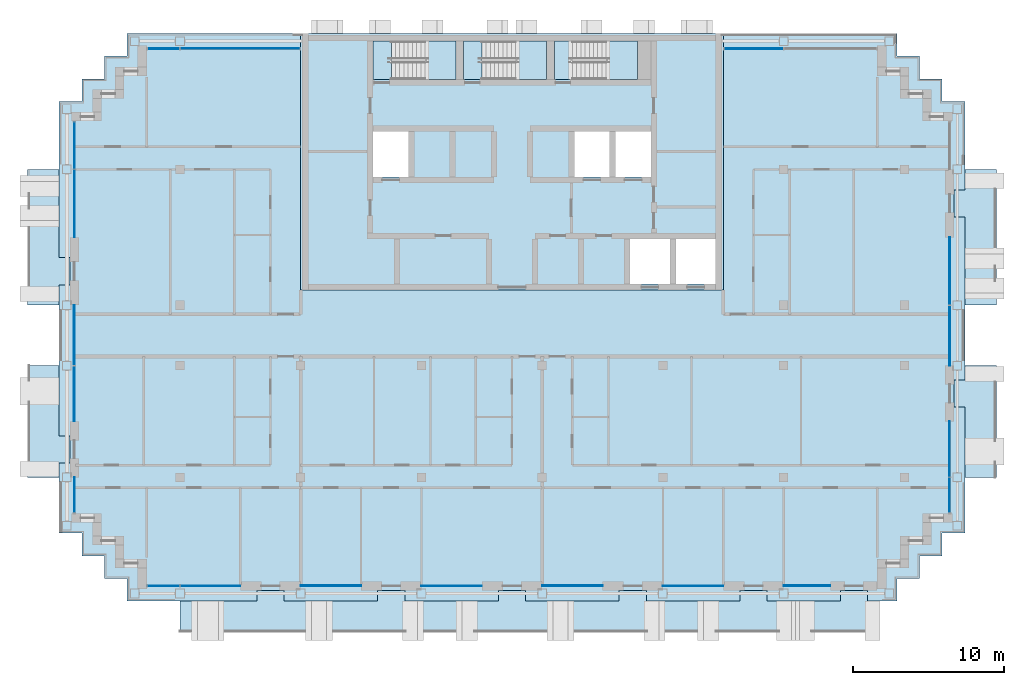
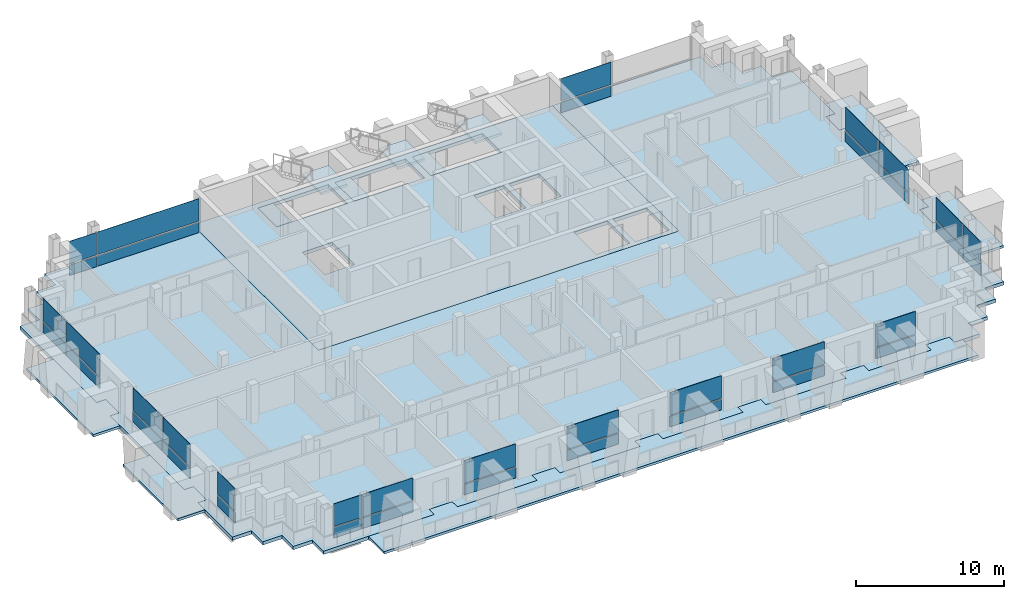
# One storey, part 6 of 15: 38 plates, 13 slabs, 16 elements without a shape of their own.
"""IFC4 building model written with IfcOpenShell, lengths in metres."""

import ifcopenshell
import ifcopenshell.guid

model = None  # the IFC model being written
_history = None  # IfcOwnerHistory: only IFC2X3 demands one
_inside = {}  # id of a spatial element -> (the spatial element, [elements in it])
_under = {}  # id of a project, library or spatial element -> (it, [spatial elements below it])
_declared = {}  # id of a project -> (the project, [libraries it declares])
_typed = {}  # id of a type object -> (the type object, [elements of that type])
_made_of = {}  # id of a material, layer set ... -> (it, [elements and type objects made of it])


def new_model(schema):
    """Start an empty IFC model of exactly this schema.

    Asked for "IFC4X3", IfcOpenShell would pick the latest addendum, in which some entities
    have other attributes; the version numbers below select the first issue.
    IFC2X3 requires an IfcOwnerHistory on every rooted entity: one is made here for all.
    """
    global model, _history
    if schema == "IFC4X3":
        model = ifcopenshell.file(schema_version=(4, 3, 0, 0))
    else:
        model = ifcopenshell.file(schema=schema)
    _inside.clear()
    _under.clear()
    _declared.clear()
    _typed.clear()
    _made_of.clear()
    _history = None
    if model.schema == "IFC2X3":
        org = make("IfcOrganization", Name="unknown")
        user = make(
            "IfcPersonAndOrganization",
            ThePerson=make("IfcPerson", FamilyName="unknown"),
            TheOrganization=org,
        )
        app = make(
            "IfcApplication",
            ApplicationDeveloper=org,
            Version="unknown",
            ApplicationFullName="unknown",
            ApplicationIdentifier="unknown",
        )
        _history = make(
            "IfcOwnerHistory",
            OwningUser=user,
            OwningApplication=app,
            ChangeAction="ADDED",
            CreationDate=0,
        )
    return model


def make(cls, **values):
    """One entity of the class cls with the attributes given. An attribute that is None is left unset."""
    return model.create_entity(
        cls, **{name: value for name, value in values.items() if value is not None}
    )


def rooted(cls, **values):
    """An entity with a GlobalId (a new one), such as an element, a storey or a relation."""
    return make(cls, GlobalId=ifcopenshell.guid.new(), OwnerHistory=_history, **values)


def si_unit(unit_type, name, prefix=None):
    """IfcSIUnit, for example si_unit("LENGTHUNIT", "METRE", prefix="MILLI")."""
    return make("IfcSIUnit", UnitType=unit_type, Prefix=prefix, Name=name)


def assignment(units):
    """IfcUnitAssignment: the units of a project."""
    return None if units is None else make("IfcUnitAssignment", Units=units)


def point(xyz):
    """IfcCartesianPoint."""
    return None if xyz is None else make("IfcCartesianPoint", Coordinates=xyz)


def direction(xyz):
    """IfcDirection."""
    return None if xyz is None else make("IfcDirection", DirectionRatios=xyz)


def frame(location, z_axis=None, x_axis=None):
    """IfcAxis2Placement3D, a coordinate frame: its origin and axes. An axis left out is left unset."""
    return make(
        "IfcAxis2Placement3D",
        Location=point(location),
        Axis=direction(z_axis),
        RefDirection=direction(x_axis),
    )


def frame_2d(location, x_axis=None):
    """IfcAxis2Placement2D, a coordinate frame in the plane: its origin and x axis."""
    return make(
        "IfcAxis2Placement2D", Location=point(location), RefDirection=direction(x_axis)
    )


def origin():
    """The frame at (0, 0, 0) with its axes left unset."""
    return frame((0.0, 0.0, 0.0))


def origin_2d():
    """The frame at (0, 0) in the plane with its x axis left unset."""
    return frame_2d((0.0, 0.0))


def place(relative_to, where):
    """IfcLocalPlacement: puts the frame where relative to a parent placement (None: the world)."""
    return make(
        "IfcLocalPlacement", PlacementRelTo=relative_to, RelativePlacement=where
    )


def context(
    kind, dimensions, precision=None, world=None, true_north=None, identifier=None
):
    """IfcGeometricRepresentationContext, for example the 3D "Model" context."""
    return make(
        "IfcGeometricRepresentationContext",
        ContextIdentifier=identifier,
        ContextType=kind,
        CoordinateSpaceDimension=dimensions,
        Precision=precision,
        WorldCoordinateSystem=world,
        TrueNorth=true_north,
    )


def subcontext(parent, identifier, kind, view, scale=None):
    """IfcGeometricRepresentationSubContext, for example "Body" below "Model"."""
    return make(
        "IfcGeometricRepresentationSubContext",
        ContextIdentifier=identifier,
        ContextType=kind,
        ParentContext=parent,
        TargetScale=scale,
        TargetView=view,
    )


def project(units=None, contexts=None):
    """IfcProject with its units and contexts."""
    return rooted(
        "IfcProject",
        Name="project",
        RepresentationContexts=contexts,
        UnitsInContext=assignment(units),
    )


def spatial(cls, under=None, at=None, **own):
    """A site, building, storey or space (cls), placed at a placement, below another one or the project."""
    s = rooted(cls, ObjectPlacement=at, **own)
    if under is not None:
        _under.setdefault(under.id(), (under, []))[1].append(s)
    return s


def polyline(points):
    """IfcPolyline through the points."""
    return make("IfcPolyline", Points=[point(p) for p in points])


def profile(cls, at=None, kind="AREA", **sizes):
    """A parametric profile (cls). Its sizes go by their IFC names, for example OverallWidth=200.0."""
    return make(cls, ProfileType=kind, Position=at, **sizes)


def rectangle(**sizes):
    """IfcRectangleProfileDef."""
    return profile("IfcRectangleProfileDef", **sizes)


def outline(outer, holes=None, kind="AREA"):
    """IfcArbitraryClosedProfileDef: a profile drawn as a closed curve; with holes, ...WithVoids."""
    if holes is None:
        return make("IfcArbitraryClosedProfileDef", ProfileType=kind, OuterCurve=outer)
    return make(
        "IfcArbitraryProfileDefWithVoids",
        ProfileType=kind,
        OuterCurve=outer,
        InnerCurves=holes,
    )


def extrude(swept, where, along, depth):
    """IfcExtrudedAreaSolid: the profile swept, set in the frame where, extruded along a direction by depth."""
    return make(
        "IfcExtrudedAreaSolid",
        SweptArea=swept,
        Position=where,
        ExtrudedDirection=direction(along),
        Depth=depth,
    )


def shape(context_of_items, identifier, shape_type, items):
    """IfcShapeRepresentation: the items that make up one representation, for example the "Body"."""
    return make(
        "IfcShapeRepresentation",
        ContextOfItems=context_of_items,
        RepresentationIdentifier=identifier,
        RepresentationType=shape_type,
        Items=items,
    )


def material(Name=None, Category=None):
    """IfcMaterial."""
    return make("IfcMaterial", Name=Name, Category=Category)


def layer(
    of_material, thickness, ventilated=None, Name=None, Category=None, Priority=None
):
    """IfcMaterialLayer: one layer of a wall or slab, of a material (None: an air gap)."""
    return make(
        "IfcMaterialLayer",
        Material=of_material,
        LayerThickness=thickness,
        IsVentilated=ventilated,
        Name=Name,
        Category=Category,
        Priority=Priority,
    )


def layer_set(layers, Name=None):
    """IfcMaterialLayerSet."""
    return make("IfcMaterialLayerSet", MaterialLayers=layers, LayerSetName=Name)


def made_of(thing, what):
    """Note that an element or type object is made of a material, layer set ...; save() writes the relation."""
    if what is not None:
        _made_of.setdefault(what.id(), (what, []))[1].append(thing)
    return thing


def type_object(cls, material=None, **own):
    """A type object (cls), such as IfcWallType, which elements share."""
    return made_of(rooted(cls, **own), material)


def element(
    cls,
    number,
    at=None,
    inside=None,
    cuts=None,
    type_object=None,
    material=None,
    context=None,
    identifier="Body",
    shape_type=None,
    held_by="IfcProductDefinitionShape",
    body=None,
    shapes=None,
    **own,
):
    """One element of the class cls, such as IfcWall. Its Tag is "e" and its number.

    at: its placement. inside: the storey or other place that contains it. cuts: it is an
    opening in that element (IfcRelVoidsElement). A single representation is given by context,
    identifier, shape_type and body (its items); several are given by shapes. held_by: the class
    of the entity that holds the representations. save() writes the other relations.
    """
    e = rooted(cls, Tag="e%d" % number, ObjectPlacement=at, **own)
    if body is not None:
        shapes = [shape(context, identifier, shape_type, body)]
    if shapes is not None:
        e.Representation = make(held_by, Representations=shapes)
    if inside is not None:
        _inside.setdefault(inside.id(), (inside, []))[1].append(e)
    if cuts is not None:
        rooted(
            "IfcRelVoidsElement", RelatingBuildingElement=cuts, RelatedOpeningElement=e
        )
    if type_object is not None:
        _typed.setdefault(type_object.id(), (type_object, []))[1].append(e)
    return made_of(e, material)


def aggregate(whole, parts):
    """IfcRelAggregates: a whole, such as a stair, and the parts it consists of."""
    return rooted("IfcRelAggregates", RelatingObject=whole, RelatedObjects=parts)


def save(model, path):
    """Write the relations noted so far, then the file.

    IfcRelAggregates (storeys below a building ...), IfcRelContainedInSpatialStructure (elements
    in a storey), IfcRelDefinesByType, IfcRelAssociatesMaterial and IfcRelDeclares: one each for
    every whole, place, type object, material and project.
    """
    for whole, parts in _under.values():
        aggregate(whole, parts)
    for where, things in _inside.values():
        rooted(
            "IfcRelContainedInSpatialStructure",
            RelatedElements=things,
            RelatingStructure=where,
        )
    for kind, things in _typed.values():
        rooted("IfcRelDefinesByType", RelatedObjects=things, RelatingType=kind)
    for what, things in _made_of.values():
        rooted("IfcRelAssociatesMaterial", RelatedObjects=things, RelatingMaterial=what)
    for by, libraries in _declared.values():
        rooted("IfcRelDeclares", RelatingContext=by, RelatedDefinitions=libraries)
    model.write(path)


model = new_model("IFC4")

# Units and contexts
model_context = context("Model", 3, precision=1e-05, world=origin(), true_north=direction((0.0, 1.0)))
body_context = subcontext(model_context, "Body", "Model", "MODEL_VIEW")
ifc_project = project(units=[si_unit("LENGTHUNIT", "METRE"), si_unit("AREAUNIT", "SQUARE_METRE"), si_unit("VOLUMEUNIT", "CUBIC_METRE"), si_unit("PLANEANGLEUNIT", "RADIAN"), si_unit("MASSUNIT", "GRAM", prefix="KILO")], contexts=[model_context])

# Site, building, storey
site_placement = place(None, origin())
site = spatial("IfcSite", under=ifc_project, at=site_placement, CompositionType="ELEMENT")
building_placement = place(site_placement, origin())
building = spatial("IfcBuilding", under=site, at=building_placement, Name="Vidyagriha Tower", CompositionType="ELEMENT")
storey_placement = place(building_placement, frame((0.0, 0.0, 236.39990234375)))
storey = spatial("IfcBuildingStorey", under=building, at=storey_placement, Name="L62", CompositionType="ELEMENT", Elevation=236.39990234375)

# Curtain wall, plate
ifc_material_1 = material(Name="Aluminium and glass curtain wall", Category="aluminium")
curtain_wall_type = type_object("IfcCurtainWallType", Name="Dwelling skin unitised curtain wall", PredefinedType="USERDEFINED", material=ifc_material_1)
curtain_wall_1_placement = place(storey_placement, origin())
curtain_wall_1 = element("IfcCurtainWall", 1, at=curtain_wall_1_placement, inside=storey, type_object=curtain_wall_type, Name="CW1 dwelling skin", ObjectType="UNITISED", PredefinedType="USERDEFINED")
ifc_material_2 = material(Name="Glass dark ceramic-fritted spandrel", Category="glass")
ifc_layer_1 = layer(ifc_material_2, 0.0400390625)
ifc_layer_set_1 = layer_set([ifc_layer_1], Name="Glass dark ceramic-fritted spandrel")
plate_type_1 = type_object("IfcPlateType", Name="Ceramic-fritted spandrel panel", PredefinedType="CURTAIN_PANEL", material=ifc_layer_set_1)
plate_1_placement = place(storey_placement, frame((-18.017578125, 19.0, 0.0), z_axis=(0.0, 0.0, 1.0), x_axis=(-1.0, 0.0, 0.0)))
plate_1 = element("IfcPlate", 2, at=plate_1_placement, type_object=plate_type_1, Name="CW1 panel 1.1", PredefinedType="CURTAIN_PANEL", context=body_context, shape_type="SweptSolid", body=[
    extrude(rectangle(XDim=7.89501953125, YDim=0.0400390625, at=origin_2d()), origin(), (0.0, 0.0, 1.0), 0.85009765625),
])

# Curtain wall, plates
curtain_wall_2_placement = place(storey_placement, origin())
curtain_wall_2 = element("IfcCurtainWall", 3, at=curtain_wall_2_placement, inside=storey, type_object=curtain_wall_type, Name="CW1 dwelling skin", ObjectType="UNITISED", PredefinedType="USERDEFINED")
plate_2_placement = place(storey_placement, frame((-29.0, 12.58251953125, 0.0), z_axis=(0.0, 0.0, 1.0), x_axis=(0.0, -1.0, 0.0)))
plate_2 = element("IfcPlate", 4, at=plate_2_placement, type_object=plate_type_1, Name="CW1 panel 1.1", PredefinedType="CURTAIN_PANEL", context=body_context, shape_type="SweptSolid", body=[
    extrude(rectangle(XDim=3.094970703125, YDim=0.0400390625, at=origin_2d()), origin(), (0.0, 0.0, 1.0), 0.85009765625),
])
plate_3_placement = place(storey_placement, frame((-29.0, 8.732421875, 0.0), z_axis=(0.0, 0.0, 1.0), x_axis=(0.0, -1.0, 0.0)))
plate_3 = element("IfcPlate", 5, at=plate_3_placement, type_object=plate_type_1, Name="CW1 panel 2.1", PredefinedType="CURTAIN_PANEL", context=body_context, shape_type="SweptSolid", body=[
    extrude(rectangle(XDim=4.465087890625, YDim=0.0400390625, at=origin_2d()), origin(), (0.0, 0.0, 1.0), 0.85009765625),
])

# Curtain wall, plate
curtain_wall_3_placement = place(storey_placement, origin())
curtain_wall_3 = element("IfcCurtainWall", 6, at=curtain_wall_3_placement, inside=storey, type_object=curtain_wall_type, Name="CW1 dwelling skin", ObjectType="UNITISED", PredefinedType="USERDEFINED")
plate_4_placement = place(storey_placement, frame((-29.0, -10.56494140625, 0.0), z_axis=(0.0, 0.0, 1.0), x_axis=(0.0, -1.0, 0.0)))
plate_4 = element("IfcPlate", 7, at=plate_4_placement, type_object=plate_type_1, Name="CW1 panel 1.1", PredefinedType="CURTAIN_PANEL", context=body_context, shape_type="SweptSolid", body=[
    extrude(rectangle(XDim=2.330078125, YDim=0.0400390625, at=origin_2d()), origin(), (0.0, 0.0, 1.0), 0.85009765625),
])

# Curtain wall, plates
curtain_wall_4_placement = place(storey_placement, origin())
curtain_wall_4 = element("IfcCurtainWall", 8, at=curtain_wall_4_placement, inside=storey, type_object=curtain_wall_type, Name="CW1 dwelling skin", ObjectType="UNITISED", PredefinedType="USERDEFINED")
plate_5_placement = place(storey_placement, frame((-23.08251953125, -16.60009765625, 0.0)))
plate_5 = element("IfcPlate", 9, at=plate_5_placement, type_object=plate_type_1, Name="CW1 panel 1.1", PredefinedType="CURTAIN_PANEL", context=body_context, shape_type="SweptSolid", body=[
    extrude(rectangle(XDim=2.094970703125, YDim=0.0400390625, at=origin_2d()), origin(), (0.0, 0.0, 1.0), 0.85009765625),
])
plate_6_placement = place(storey_placement, frame((-19.982421875, -16.60009765625, 0.0)))
plate_6 = element("IfcPlate", 10, at=plate_6_placement, type_object=plate_type_1, Name="CW1 panel 2.1", PredefinedType="CURTAIN_PANEL", context=body_context, shape_type="SweptSolid", body=[
    extrude(rectangle(XDim=3.965087890625, YDim=0.0400390625, at=origin_2d()), origin(), (0.0, 0.0, 1.0), 0.85009765625),
])

# Curtain wall, plate
curtain_wall_5_placement = place(storey_placement, origin())
curtain_wall_5 = element("IfcCurtainWall", 11, at=curtain_wall_5_placement, inside=storey, type_object=curtain_wall_type, Name="CW1 dwelling skin", ObjectType="UNITISED", PredefinedType="USERDEFINED")
plate_7_placement = place(storey_placement, frame((-4.0, -16.60009765625, 0.0)))
plate_7 = element("IfcPlate", 12, at=plate_7_placement, type_object=plate_type_1, Name="CW1 panel 1.1", PredefinedType="CURTAIN_PANEL", context=body_context, shape_type="SweptSolid", body=[
    extrude(rectangle(XDim=4.0, YDim=0.0400390625, at=origin_2d()), origin(), (0.0, 0.0, 1.0), 0.85009765625),
])

curtain_wall_6_placement = place(storey_placement, origin())
curtain_wall_6 = element("IfcCurtainWall", 13, at=curtain_wall_6_placement, inside=storey, type_object=curtain_wall_type, Name="CW1 dwelling skin", ObjectType="UNITISED", PredefinedType="USERDEFINED")
plate_8_placement = place(storey_placement, frame((12.0, -16.60009765625, 0.0)))
plate_8 = element("IfcPlate", 14, at=plate_8_placement, type_object=plate_type_1, Name="CW1 panel 1.1", PredefinedType="CURTAIN_PANEL", context=body_context, shape_type="SweptSolid", body=[
    extrude(rectangle(XDim=4.0, YDim=0.0400390625, at=origin_2d()), origin(), (0.0, 0.0, 1.0), 0.85009765625),
])

# Curtain wall, plates
curtain_wall_7_placement = place(storey_placement, origin())
curtain_wall_7 = element("IfcCurtainWall", 15, at=curtain_wall_7_placement, inside=storey, type_object=curtain_wall_type, Name="CW1 dwelling skin", ObjectType="UNITISED", PredefinedType="USERDEFINED")
plate_9_placement = place(storey_placement, frame((29.0, -10.58251953125, 0.0), z_axis=(0.0, 0.0, 1.0), x_axis=(0.0, 1.0, 0.0)))
plate_9 = element("IfcPlate", 16, at=plate_9_placement, type_object=plate_type_1, Name="CW1 panel 1.1", PredefinedType="CURTAIN_PANEL", context=body_context, shape_type="SweptSolid", body=[
    extrude(rectangle(XDim=2.294921875, YDim=0.0400390625, at=origin_2d()), origin(), (0.0, 0.0, 1.0), 0.85009765625),
])
plate_10_placement = place(storey_placement, frame((29.0, -7.532470703125, 0.0), z_axis=(0.0, 0.0, 1.0), x_axis=(0.0, 1.0, 0.0)))
plate_10 = element("IfcPlate", 17, at=plate_10_placement, type_object=plate_type_1, Name="CW1 panel 2.1", PredefinedType="CURTAIN_PANEL", context=body_context, shape_type="SweptSolid", body=[
    extrude(rectangle(XDim=3.6650390625, YDim=0.0400390625, at=origin_2d()), origin(), (0.0, 0.0, 1.0), 0.85009765625),
])

# Slab
ifc_material_3 = material(Name="Concrete C60/75", Category="concrete")
ifc_layer_2 = layer(ifc_material_3, 0.280029296875)
ifc_layer_set_2 = layer_set([ifc_layer_2], Name="Concrete C60/75")
slab_type_1 = type_object("IfcSlabType", Name="Core floor slab 280 mm", PredefinedType="FLOOR", material=ifc_layer_set_2)
slab_1_placement = place(storey_placement, frame((0.0, 0.0, -0.27978515625)))
element("IfcSlab", 18, at=slab_1_placement, inside=storey, type_object=slab_type_1, Name="L62 core floor 1", PredefinedType="FLOOR", context=body_context, shape_type="SweptSolid", body=[
    extrude(outline(polyline([(-14.0, 3.0), (-14.0, 20.0), (14.0, 20.0), (14.0, 3.0), (-14.0, 3.0)]), holes=[polyline([(13.5, 6.39990234375), (10.855712890625, 6.39990234375), (10.855712890625, 3.39990234375), (13.5, 3.39990234375), (13.5, 6.39990234375)]), polyline([(10.45556640625, 6.39990234375), (7.81103515625, 6.39990234375), (7.81103515625, 3.39990234375), (10.45556640625, 3.39990234375), (10.45556640625, 6.39990234375)]), polyline([(9.199951171875, 13.5), (6.86669921875, 13.5), (6.86669921875, 10.5), (9.199951171875, 10.5), (9.199951171875, 13.5)]), polyline([(2.800048828125, 19.5), (2.800048828125, 16.949951171875), (4.0, 16.949951171875), (8.300048828125, 16.949951171875), (8.300048828125, 19.5), (4.0, 19.5), (2.800048828125, 19.5)]), polyline([(4.13330078125, 13.5), (4.13330078125, 10.5), (6.466796875, 10.5), (6.466796875, 13.5), (4.13330078125, 13.5)]), polyline([(-2.0, 19.5), (-3.199951171875, 19.5), (-3.199951171875, 16.949951171875), (-2.0, 16.949951171875), (2.300048828125, 16.949951171875), (2.300048828125, 19.5), (-2.0, 19.5)]), polyline([(-9.199951171875, 19.5), (-9.199951171875, 16.949951171875), (-8.0, 16.949951171875), (-3.699951171875, 16.949951171875), (-3.699951171875, 19.5), (-8.0, 19.5), (-9.199951171875, 19.5)]), polyline([(-9.199951171875, 13.5), (-9.199951171875, 10.5), (-6.86669921875, 10.5), (-6.86669921875, 13.5), (-9.199951171875, 13.5)])]), origin(), (0.0, 0.0, 1.0), 0.27978515625),
])

# Curtain wall, plate
curtain_wall_8_placement = place(storey_placement, origin())
curtain_wall_8 = element("IfcCurtainWall", 19, at=curtain_wall_8_placement, inside=storey, type_object=curtain_wall_type, Name="CW1 dwelling skin", ObjectType="UNITISED", PredefinedType="USERDEFINED")
ifc_material_4 = material(Name="Glass dark ceramic-fritted", Category="glass")
ifc_layer_3 = layer(ifc_material_4, 0.028076171875)
ifc_layer_set_3 = layer_set([ifc_layer_3], Name="Glass dark ceramic-fritted")
plate_type_2 = type_object("IfcPlateType", Name="Dark ceramic-fritted vision glass panel", PredefinedType="CURTAIN_PANEL", material=ifc_layer_set_3)
plate_11_placement = place(storey_placement, frame((16.017578125, 19.0, 0.949951171875), z_axis=(0.0, 0.0, 1.0), x_axis=(-1.0, 0.0, 0.0)))
plate_11 = element("IfcPlate", 20, at=plate_11_placement, type_object=plate_type_2, Name="CW1 panel 2.2", PredefinedType="CURTAIN_PANEL", context=body_context, shape_type="SweptSolid", body=[
    extrude(rectangle(XDim=3.89501953125, YDim=0.028076171875, at=origin_2d()), origin(), (0.0, 0.0, 1.0), 1.85009765625),
])

# Plate
plate_12_placement = place(storey_placement, frame((-18.017578125, 19.0, 0.949951171875), z_axis=(0.0, 0.0, 1.0), x_axis=(-1.0, 0.0, 0.0)))
plate_12 = element("IfcPlate", 21, at=plate_12_placement, type_object=plate_type_2, Name="CW1 panel 1.2", PredefinedType="CURTAIN_PANEL", context=body_context, shape_type="SweptSolid", body=[
    extrude(rectangle(XDim=7.89501953125, YDim=0.028076171875, at=origin_2d()), origin(), (0.0, 0.0, 1.0), 1.85009765625),
])

plate_13_placement = place(storey_placement, frame((-23.08251953125, 19.0, 0.949951171875), z_axis=(0.0, 0.0, 1.0), x_axis=(-1.0, 0.0, 0.0)))
plate_13 = element("IfcPlate", 22, at=plate_13_placement, type_object=plate_type_2, Name="CW1 panel 2.2", PredefinedType="CURTAIN_PANEL", context=body_context, shape_type="SweptSolid", body=[
    extrude(rectangle(XDim=2.094970703125, YDim=0.028076171875, at=origin_2d()), origin(), (0.0, 0.0, 1.0), 1.85009765625),
])

plate_14_placement = place(storey_placement, frame((-29.0, 12.58251953125, 0.949951171875), z_axis=(0.0, 0.0, 1.0), x_axis=(0.0, -1.0, 0.0)))
plate_14 = element("IfcPlate", 23, at=plate_14_placement, type_object=plate_type_2, Name="CW1 panel 1.2", PredefinedType="CURTAIN_PANEL", context=body_context, shape_type="SweptSolid", body=[
    extrude(rectangle(XDim=3.094970703125, YDim=0.028076171875, at=origin_2d()), origin(), (0.0, 0.0, 1.0), 1.85009765625),
])

plate_15_placement = place(storey_placement, frame((-29.0, 8.732421875, 0.949951171875), z_axis=(0.0, 0.0, 1.0), x_axis=(0.0, -1.0, 0.0)))
plate_15 = element("IfcPlate", 24, at=plate_15_placement, type_object=plate_type_2, Name="CW1 panel 2.2", PredefinedType="CURTAIN_PANEL", context=body_context, shape_type="SweptSolid", body=[
    extrude(rectangle(XDim=4.465087890625, YDim=0.028076171875, at=origin_2d()), origin(), (0.0, 0.0, 1.0), 1.85009765625),
])

aggregate(curtain_wall_2, [plate_2, plate_14, plate_3, plate_15])

# Curtain wall, plates
curtain_wall_9_placement = place(storey_placement, origin())
curtain_wall_9 = element("IfcCurtainWall", 25, at=curtain_wall_9_placement, inside=storey, type_object=curtain_wall_type, Name="CW1 dwelling skin", ObjectType="UNITISED", PredefinedType="USERDEFINED")
plate_16_placement = place(storey_placement, frame((-29.0, 0.017578125, 0.949951171875), z_axis=(0.0, 0.0, 1.0), x_axis=(0.0, -1.0, 0.0)))
plate_16 = element("IfcPlate", 26, at=plate_16_placement, type_object=plate_type_2, Name="CW1 panel 1.2", PredefinedType="CURTAIN_PANEL", context=body_context, shape_type="SweptSolid", body=[
    extrude(rectangle(XDim=3.965087890625, YDim=0.028076171875, at=origin_2d()), origin(), (0.0, 0.0, 1.0), 1.85009765625),
])
plate_17_placement = place(storey_placement, frame((-29.0, -3.867431640625, 0.949951171875), z_axis=(0.0, 0.0, 1.0), x_axis=(0.0, -1.0, 0.0)))
plate_17 = element("IfcPlate", 27, at=plate_17_placement, type_object=plate_type_2, Name="CW1 panel 2.2", PredefinedType="CURTAIN_PANEL", context=body_context, shape_type="SweptSolid", body=[
    extrude(rectangle(XDim=3.6650390625, YDim=0.028076171875, at=origin_2d()), origin(), (0.0, 0.0, 1.0), 1.85009765625),
])

# Plate
plate_18_placement = place(storey_placement, frame((-29.0, -10.56494140625, 0.949951171875), z_axis=(0.0, 0.0, 1.0), x_axis=(0.0, -1.0, 0.0)))
plate_18 = element("IfcPlate", 28, at=plate_18_placement, type_object=plate_type_2, Name="CW1 panel 1.2", PredefinedType="CURTAIN_PANEL", context=body_context, shape_type="SweptSolid", body=[
    extrude(rectangle(XDim=2.330078125, YDim=0.028076171875, at=origin_2d()), origin(), (0.0, 0.0, 1.0), 1.85009765625),
])

aggregate(curtain_wall_3, [plate_4, plate_18])

plate_19_placement = place(storey_placement, frame((-23.08251953125, -16.60009765625, 0.949951171875)))
plate_19 = element("IfcPlate", 29, at=plate_19_placement, type_object=plate_type_2, Name="CW1 panel 1.2", PredefinedType="CURTAIN_PANEL", context=body_context, shape_type="SweptSolid", body=[
    extrude(rectangle(XDim=2.094970703125, YDim=0.028076171875, at=origin_2d()), origin(), (0.0, 0.0, 1.0), 1.85009765625),
])

plate_20_placement = place(storey_placement, frame((-19.982421875, -16.60009765625, 0.949951171875)))
plate_20 = element("IfcPlate", 30, at=plate_20_placement, type_object=plate_type_2, Name="CW1 panel 2.2", PredefinedType="CURTAIN_PANEL", context=body_context, shape_type="SweptSolid", body=[
    extrude(rectangle(XDim=3.965087890625, YDim=0.028076171875, at=origin_2d()), origin(), (0.0, 0.0, 1.0), 1.85009765625),
])

aggregate(curtain_wall_4, [plate_5, plate_19, plate_6, plate_20])

# Curtain wall, plate
curtain_wall_10_placement = place(storey_placement, origin())
curtain_wall_10 = element("IfcCurtainWall", 31, at=curtain_wall_10_placement, inside=storey, type_object=curtain_wall_type, Name="CW1 dwelling skin", ObjectType="UNITISED", PredefinedType="USERDEFINED")
plate_21_placement = place(storey_placement, frame((-12.0, -16.60009765625, 0.949951171875)))
plate_21 = element("IfcPlate", 32, at=plate_21_placement, type_object=plate_type_2, Name="CW1 panel 1.2", PredefinedType="CURTAIN_PANEL", context=body_context, shape_type="SweptSolid", body=[
    extrude(rectangle(XDim=4.0, YDim=0.028076171875, at=origin_2d()), origin(), (0.0, 0.0, 1.0), 1.85009765625),
])

# Plate
plate_22_placement = place(storey_placement, frame((-4.0, -16.60009765625, 0.949951171875)))
plate_22 = element("IfcPlate", 33, at=plate_22_placement, type_object=plate_type_2, Name="CW1 panel 1.2", PredefinedType="CURTAIN_PANEL", context=body_context, shape_type="SweptSolid", body=[
    extrude(rectangle(XDim=4.0, YDim=0.028076171875, at=origin_2d()), origin(), (0.0, 0.0, 1.0), 1.85009765625),
])

aggregate(curtain_wall_5, [plate_7, plate_22])

# Curtain wall, plate
curtain_wall_11_placement = place(storey_placement, origin())
curtain_wall_11 = element("IfcCurtainWall", 34, at=curtain_wall_11_placement, inside=storey, type_object=curtain_wall_type, Name="CW1 dwelling skin", ObjectType="UNITISED", PredefinedType="USERDEFINED")
plate_23_placement = place(storey_placement, frame((4.0, -16.60009765625, 0.949951171875)))
plate_23 = element("IfcPlate", 35, at=plate_23_placement, type_object=plate_type_2, Name="CW1 panel 1.2", PredefinedType="CURTAIN_PANEL", context=body_context, shape_type="SweptSolid", body=[
    extrude(rectangle(XDim=4.0, YDim=0.028076171875, at=origin_2d()), origin(), (0.0, 0.0, 1.0), 1.85009765625),
])

# Plate
plate_24_placement = place(storey_placement, frame((12.0, -16.60009765625, 0.949951171875)))
plate_24 = element("IfcPlate", 36, at=plate_24_placement, type_object=plate_type_2, Name="CW1 panel 1.2", PredefinedType="CURTAIN_PANEL", context=body_context, shape_type="SweptSolid", body=[
    extrude(rectangle(XDim=4.0, YDim=0.028076171875, at=origin_2d()), origin(), (0.0, 0.0, 1.0), 1.85009765625),
])

aggregate(curtain_wall_6, [plate_8, plate_24])

# Curtain wall, plate
curtain_wall_12_placement = place(storey_placement, origin())
curtain_wall_12 = element("IfcCurtainWall", 37, at=curtain_wall_12_placement, inside=storey, type_object=curtain_wall_type, Name="CW1 dwelling skin", ObjectType="UNITISED", PredefinedType="USERDEFINED")
plate_25_placement = place(storey_placement, frame((19.550048828125, -16.60009765625, 0.949951171875)))
plate_25 = element("IfcPlate", 38, at=plate_25_placement, type_object=plate_type_2, Name="CW1 panel 1.2", PredefinedType="CURTAIN_PANEL", context=body_context, shape_type="SweptSolid", body=[
    extrude(rectangle(XDim=3.10009765625, YDim=0.028076171875, at=origin_2d()), origin(), (0.0, 0.0, 1.0), 1.85009765625),
])

# Plate
plate_26_placement = place(storey_placement, frame((29.0, -10.58251953125, 0.949951171875), z_axis=(0.0, 0.0, 1.0), x_axis=(0.0, 1.0, 0.0)))
plate_26 = element("IfcPlate", 39, at=plate_26_placement, type_object=plate_type_2, Name="CW1 panel 1.2", PredefinedType="CURTAIN_PANEL", context=body_context, shape_type="SweptSolid", body=[
    extrude(rectangle(XDim=2.294921875, YDim=0.028076171875, at=origin_2d()), origin(), (0.0, 0.0, 1.0), 1.85009765625),
])

plate_27_placement = place(storey_placement, frame((29.0, -7.532470703125, 0.949951171875), z_axis=(0.0, 0.0, 1.0), x_axis=(0.0, 1.0, 0.0)))
plate_27 = element("IfcPlate", 40, at=plate_27_placement, type_object=plate_type_2, Name="CW1 panel 2.2", PredefinedType="CURTAIN_PANEL", context=body_context, shape_type="SweptSolid", body=[
    extrude(rectangle(XDim=3.6650390625, YDim=0.028076171875, at=origin_2d()), origin(), (0.0, 0.0, 1.0), 1.85009765625),
])

aggregate(curtain_wall_7, [plate_9, plate_26, plate_10, plate_27])

# Curtain wall, plates
curtain_wall_13_placement = place(storey_placement, origin())
curtain_wall_13 = element("IfcCurtainWall", 41, at=curtain_wall_13_placement, inside=storey, type_object=curtain_wall_type, Name="CW1 dwelling skin", ObjectType="UNITISED", PredefinedType="USERDEFINED")
plate_28_placement = place(storey_placement, frame((29.0, -0.017578125, 0.949951171875), z_axis=(0.0, 0.0, 1.0), x_axis=(0.0, 1.0, 0.0)))
plate_28 = element("IfcPlate", 42, at=plate_28_placement, type_object=plate_type_2, Name="CW1 panel 1.2", PredefinedType="CURTAIN_PANEL", context=body_context, shape_type="SweptSolid", body=[
    extrude(rectangle(XDim=3.965087890625, YDim=0.028076171875, at=origin_2d()), origin(), (0.0, 0.0, 1.0), 1.85009765625),
])
plate_29_placement = place(storey_placement, frame((29.0, 4.267578125, 0.949951171875), z_axis=(0.0, 0.0, 1.0), x_axis=(0.0, 1.0, 0.0)))
plate_29 = element("IfcPlate", 43, at=plate_29_placement, type_object=plate_type_2, Name="CW1 panel 2.2", PredefinedType="CURTAIN_PANEL", context=body_context, shape_type="SweptSolid", body=[
    extrude(rectangle(XDim=4.465087890625, YDim=0.028076171875, at=origin_2d()), origin(), (0.0, 0.0, 1.0), 1.85009765625),
])

# Slabs
ifc_material_5 = material(Name="Concrete C40/50", Category="concrete")
ifc_layer_4 = layer(ifc_material_5, 0.280029296875)
ifc_layer_set_4 = layer_set([ifc_layer_4], Name="Concrete C40/50")
slab_type_2 = type_object("IfcSlabType", Name="Exit stair floor landing 280 mm", PredefinedType="LANDING", material=ifc_layer_set_4)
slab_2_placement = place(storey_placement, frame((0.0, 0.0, -0.27978515625)))
element("IfcSlab", 44, at=slab_2_placement, inside=storey, type_object=slab_type_2, Name="ST1 floor landing L62", PredefinedType="LANDING", context=body_context, shape_type="SweptSolid", body=[
    extrude(outline(polyline([(-9.199951171875, 16.949951171875), (-8.0, 16.949951171875), (-8.0, 19.5), (-9.199951171875, 19.5), (-9.199951171875, 16.949951171875)])), origin(), (0.0, 0.0, 1.0), 0.27978515625),
])
slab_3_placement = place(storey_placement, frame((0.0, 0.0, -0.27978515625)))
element("IfcSlab", 45, at=slab_3_placement, inside=storey, type_object=slab_type_2, Name="ST2 floor landing L62", PredefinedType="LANDING", context=body_context, shape_type="SweptSolid", body=[
    extrude(outline(polyline([(-3.199951171875, 16.949951171875), (-2.0, 16.949951171875), (-2.0, 19.5), (-3.199951171875, 19.5), (-3.199951171875, 16.949951171875)])), origin(), (0.0, 0.0, 1.0), 0.27978515625),
])
slab_4_placement = place(storey_placement, frame((0.0, 0.0, -0.27978515625)))
element("IfcSlab", 46, at=slab_4_placement, inside=storey, type_object=slab_type_2, Name="ST3 floor landing L62", PredefinedType="LANDING", context=body_context, shape_type="SweptSolid", body=[
    extrude(outline(polyline([(2.800048828125, 16.949951171875), (4.0, 16.949951171875), (4.0, 19.5), (2.800048828125, 19.5), (2.800048828125, 16.949951171875)])), origin(), (0.0, 0.0, 1.0), 0.27978515625),
])

# Stair, slab
ifc_material_6 = material(Name="Concrete C40/50", Category="concrete")
stair_type = type_object("IfcStairType", Name="Exit stair, half-turn, precast flights", PredefinedType="HALF_TURN_STAIR", material=ifc_material_6)
stair_1_placement = place(storey_placement, origin())
stair_1 = element("IfcStair", 47, at=stair_1_placement, inside=storey, type_object=stair_type, Name="L62 Exit Stair ST1", PredefinedType="HALF_TURN_STAIR")
ifc_material_7 = material(Name="Concrete C40/50", Category="concrete")
ifc_layer_5 = layer(ifc_material_7, 0.199951171875)
ifc_layer_set_5 = layer_set([ifc_layer_5], Name="Concrete C40/50")
slab_type_3 = type_object("IfcSlabType", Name="Exit stair landing 200 mm", PredefinedType="LANDING", material=ifc_layer_set_5)
slab_5_placement = place(storey_placement, frame((0.0, 0.0, 1.400146484375)))
slab_5 = element("IfcSlab", 48, at=slab_5_placement, type_object=slab_type_3, Name="ST1 landing 1", PredefinedType="LANDING", context=body_context, shape_type="SweptSolid", body=[
    extrude(outline(polyline([(-5.760009765625, 16.949951171875), (-3.699951171875, 16.949951171875), (-3.699951171875, 19.5), (-5.760009765625, 19.5), (-5.760009765625, 16.949951171875)])), origin(), (0.0, 0.0, 1.0), 0.199951171875),
])
aggregate(stair_1, [slab_5])

stair_2_placement = place(storey_placement, origin())
stair_2 = element("IfcStair", 49, at=stair_2_placement, inside=storey, type_object=stair_type, Name="L62 Exit Stair ST2", PredefinedType="HALF_TURN_STAIR")
slab_6_placement = place(storey_placement, frame((0.0, 0.0, 1.400146484375)))
slab_6 = element("IfcSlab", 50, at=slab_6_placement, type_object=slab_type_3, Name="ST2 landing 1", PredefinedType="LANDING", context=body_context, shape_type="SweptSolid", body=[
    extrude(outline(polyline([(0.239990234375, 16.949951171875), (2.300048828125, 16.949951171875), (2.300048828125, 19.5), (0.239990234375, 19.5), (0.239990234375, 16.949951171875)])), origin(), (0.0, 0.0, 1.0), 0.199951171875),
])
aggregate(stair_2, [slab_6])

stair_3_placement = place(storey_placement, origin())
stair_3 = element("IfcStair", 51, at=stair_3_placement, inside=storey, type_object=stair_type, Name="L62 Exit Stair ST3", PredefinedType="HALF_TURN_STAIR")
slab_7_placement = place(storey_placement, frame((0.0, 0.0, 1.400146484375)))
slab_7 = element("IfcSlab", 52, at=slab_7_placement, type_object=slab_type_3, Name="ST3 landing 1", PredefinedType="LANDING", context=body_context, shape_type="SweptSolid", body=[
    extrude(outline(polyline([(6.239990234375, 16.949951171875), (8.300048828125, 16.949951171875), (8.300048828125, 19.5), (6.239990234375, 19.5), (6.239990234375, 16.949951171875)])), origin(), (0.0, 0.0, 1.0), 0.199951171875),
])
aggregate(stair_3, [slab_7])

# Plate
ifc_material_8 = material(Name="Aluminium black anodised", Category="aluminium")
ifc_layer_6 = layer(ifc_material_8, 0.06005859375)
ifc_layer_set_6 = layer_set([ifc_layer_6], Name="Aluminium black anodised")
plate_type_3 = type_object("IfcPlateType", Name="Operable black-metal vent panel", PredefinedType="CURTAIN_PANEL", material=ifc_layer_set_6)
plate_30_placement = place(storey_placement, frame((16.017578125, 19.0, 0.0), z_axis=(0.0, 0.0, 1.0), x_axis=(-1.0, 0.0, 0.0)))
plate_30 = element("IfcPlate", 53, at=plate_30_placement, type_object=plate_type_3, Name="CW1 panel 2.1", PredefinedType="CURTAIN_PANEL", context=body_context, shape_type="SweptSolid", body=[
    extrude(rectangle(XDim=3.89501953125, YDim=0.06005859375, at=origin_2d()), origin(), (0.0, 0.0, 1.0), 0.85009765625),
])

aggregate(curtain_wall_8, [plate_30, plate_11])

plate_31_placement = place(storey_placement, frame((-23.08251953125, 19.0, 0.0), z_axis=(0.0, 0.0, 1.0), x_axis=(-1.0, 0.0, 0.0)))
plate_31 = element("IfcPlate", 54, at=plate_31_placement, type_object=plate_type_3, Name="CW1 panel 2.1", PredefinedType="CURTAIN_PANEL", context=body_context, shape_type="SweptSolid", body=[
    extrude(rectangle(XDim=2.094970703125, YDim=0.06005859375, at=origin_2d()), origin(), (0.0, 0.0, 1.0), 0.85009765625),
])

aggregate(curtain_wall_1, [plate_1, plate_12, plate_31, plate_13])

plate_32_placement = place(storey_placement, frame((-29.0, 0.017578125, 0.0), z_axis=(0.0, 0.0, 1.0), x_axis=(0.0, -1.0, 0.0)))
plate_32 = element("IfcPlate", 55, at=plate_32_placement, type_object=plate_type_3, Name="CW1 panel 1.1", PredefinedType="CURTAIN_PANEL", context=body_context, shape_type="SweptSolid", body=[
    extrude(rectangle(XDim=3.965087890625, YDim=0.06005859375, at=origin_2d()), origin(), (0.0, 0.0, 1.0), 0.85009765625),
])

plate_33_placement = place(storey_placement, frame((-29.0, -3.867431640625, 0.0), z_axis=(0.0, 0.0, 1.0), x_axis=(0.0, -1.0, 0.0)))
plate_33 = element("IfcPlate", 56, at=plate_33_placement, type_object=plate_type_3, Name="CW1 panel 2.1", PredefinedType="CURTAIN_PANEL", context=body_context, shape_type="SweptSolid", body=[
    extrude(rectangle(XDim=3.6650390625, YDim=0.06005859375, at=origin_2d()), origin(), (0.0, 0.0, 1.0), 0.85009765625),
])

aggregate(curtain_wall_9, [plate_32, plate_16, plate_33, plate_17])

plate_34_placement = place(storey_placement, frame((-12.0, -16.60009765625, 0.0)))
plate_34 = element("IfcPlate", 57, at=plate_34_placement, type_object=plate_type_3, Name="CW1 panel 1.1", PredefinedType="CURTAIN_PANEL", context=body_context, shape_type="SweptSolid", body=[
    extrude(rectangle(XDim=4.0, YDim=0.06005859375, at=origin_2d()), origin(), (0.0, 0.0, 1.0), 0.85009765625),
])

aggregate(curtain_wall_10, [plate_34, plate_21])

plate_35_placement = place(storey_placement, frame((4.0, -16.60009765625, 0.0)))
plate_35 = element("IfcPlate", 58, at=plate_35_placement, type_object=plate_type_3, Name="CW1 panel 1.1", PredefinedType="CURTAIN_PANEL", context=body_context, shape_type="SweptSolid", body=[
    extrude(rectangle(XDim=4.0, YDim=0.06005859375, at=origin_2d()), origin(), (0.0, 0.0, 1.0), 0.85009765625),
])

aggregate(curtain_wall_11, [plate_35, plate_23])

plate_36_placement = place(storey_placement, frame((19.550048828125, -16.60009765625, 0.0)))
plate_36 = element("IfcPlate", 59, at=plate_36_placement, type_object=plate_type_3, Name="CW1 panel 1.1", PredefinedType="CURTAIN_PANEL", context=body_context, shape_type="SweptSolid", body=[
    extrude(rectangle(XDim=3.10009765625, YDim=0.06005859375, at=origin_2d()), origin(), (0.0, 0.0, 1.0), 0.85009765625),
])

aggregate(curtain_wall_12, [plate_36, plate_25])

plate_37_placement = place(storey_placement, frame((29.0, -0.017578125, 0.0), z_axis=(0.0, 0.0, 1.0), x_axis=(0.0, 1.0, 0.0)))
plate_37 = element("IfcPlate", 60, at=plate_37_placement, type_object=plate_type_3, Name="CW1 panel 1.1", PredefinedType="CURTAIN_PANEL", context=body_context, shape_type="SweptSolid", body=[
    extrude(rectangle(XDim=3.965087890625, YDim=0.06005859375, at=origin_2d()), origin(), (0.0, 0.0, 1.0), 0.85009765625),
])

plate_38_placement = place(storey_placement, frame((29.0, 4.267578125, 0.0), z_axis=(0.0, 0.0, 1.0), x_axis=(0.0, 1.0, 0.0)))
plate_38 = element("IfcPlate", 61, at=plate_38_placement, type_object=plate_type_3, Name="CW1 panel 2.1", PredefinedType="CURTAIN_PANEL", context=body_context, shape_type="SweptSolid", body=[
    extrude(rectangle(XDim=4.465087890625, YDim=0.06005859375, at=origin_2d()), origin(), (0.0, 0.0, 1.0), 0.85009765625),
])

aggregate(curtain_wall_13, [plate_37, plate_28, plate_38, plate_29])

# Slabs
ifc_material_9 = material(Name="Concrete C50/60", Category="concrete")
ifc_layer_7 = layer(ifc_material_9, 0.280029296875)
ifc_layer_set_7 = layer_set([ifc_layer_7], Name="Concrete C50/60")
slab_type_4 = type_object("IfcSlabType", Name="Post-tensioned flat plate 280", PredefinedType="FLOOR", material=ifc_layer_set_7)
slab_8_placement = place(storey_placement, frame((0.0, 0.0, -0.27978515625)))
element("IfcSlab", 62, at=slab_8_placement, inside=storey, type_object=slab_type_4, Name="st-slab-L62-1", PredefinedType="FLOOR", context=body_context, shape_type="SweptSolid", body=[
    extrude(outline(polyline([(28.5, -14.60009765625), (27.0, -14.60009765625), (27.0, -16.10009765625), (25.5, -16.10009765625), (25.5, -17.60009765625), (23.550048828125, -17.60009765625), (23.550048828125, -16.89990234375), (21.75, -16.89990234375), (21.75, -17.60009765625), (16.89990234375, -17.60009765625), (16.89990234375, -16.89990234375), (15.10009765625, -16.89990234375), (15.10009765625, -17.60009765625), (8.89990234375, -17.60009765625), (8.89990234375, -16.89990234375), (7.10009765625, -16.89990234375), (7.10009765625, -17.60009765625), (0.89990234375, -17.60009765625), (0.89990234375, -16.89990234375), (-0.89990234375, -16.89990234375), (-0.89990234375, -17.60009765625), (-7.10009765625, -17.60009765625), (-7.10009765625, -16.89990234375), (-8.89990234375, -16.89990234375), (-8.89990234375, -17.60009765625), (-15.10009765625, -17.60009765625), (-15.10009765625, -16.89990234375), (-16.89990234375, -16.89990234375), (-16.89990234375, -17.60009765625), (-25.5, -17.60009765625), (-25.5, -16.10009765625), (-27.0, -16.10009765625), (-27.0, -14.60009765625), (-28.5, -14.60009765625), (-28.5, -13.10009765625), (-30.0, -13.10009765625), (-30.0, -8.449951171875), (-29.300048828125, -8.449951171875), (-29.300048828125, -6.64990234375), (-30.0, -6.64990234375), (-30.0, 3.35009765625), (-29.300048828125, 3.35009765625), (-29.300048828125, 5.14990234375), (-30.0, 5.14990234375), (-30.0, 15.5), (-28.5, 15.5), (-28.5, 17.0), (-27.0, 17.0), (-27.0, 18.5), (-25.5, 18.5), (-25.5, 20.0), (-14.0, 20.0), (-14.0, 3.0), (14.0, 3.0), (14.0, 20.0), (25.5, 20.0), (25.5, 18.5), (27.0, 18.5), (27.0, 17.0), (28.5, 17.0), (28.5, 15.5), (30.0, 15.5), (30.0, 9.64990234375), (29.300048828125, 9.64990234375), (29.300048828125, 7.85009765625), (30.0, 7.85009765625), (30.0, -2.949951171875), (29.300048828125, -2.949951171875), (29.300048828125, -4.75), (30.0, -4.75), (30.0, -13.10009765625), (28.5, -13.10009765625), (28.5, -14.60009765625)])), origin(), (0.0, 0.0, 1.0), 0.27978515625),
])
ifc_material_10 = material(Name="Precast concrete C40/50", Category="concrete")
ifc_layer_8 = layer(ifc_material_10, 0.199951171875)
ifc_layer_set_8 = layer_set([ifc_layer_8], Name="Precast concrete C40/50")
slab_type_5 = type_object("IfcSlabType", Name="Precast balcony slab 200", PredefinedType="USERDEFINED", material=ifc_layer_set_8)
slab_9_placement = place(storey_placement, frame((0.0, 0.0, -0.199951171875)))
element("IfcSlab", 63, at=slab_9_placement, inside=storey, type_object=slab_type_5, Name="Balcony slab L62 R16.1-1", ObjectType="BALCONY", PredefinedType="USERDEFINED", context=body_context, shape_type="SweptSolid", body=[
    extrude(outline(polyline([(-29.300048828125, 3.35009765625), (-29.300048828125, 5.14990234375), (-30.0, 5.14990234375), (-30.0, 11.0), (-32.10009765625, 11.0), (-32.10009765625, 2.0), (-30.0, 2.0), (-30.0, 3.35009765625), (-29.300048828125, 3.35009765625)])), origin(), (0.0, 0.0, 1.0), 0.199951171875),
])
slab_10_placement = place(storey_placement, frame((0.0, 0.0, -0.199951171875)))
element("IfcSlab", 64, at=slab_10_placement, inside=storey, type_object=slab_type_5, Name="Balcony slab L62 R16.2-2", ObjectType="BALCONY", PredefinedType="USERDEFINED", context=body_context, shape_type="SweptSolid", body=[
    extrude(outline(polyline([(-29.300048828125, -8.449951171875), (-29.300048828125, -6.64990234375), (-30.0, -6.64990234375), (-30.0, -2.0), (-32.10009765625, -2.0), (-32.10009765625, -9.39990234375), (-30.0, -9.39990234375), (-30.0, -8.449951171875), (-29.300048828125, -8.449951171875)])), origin(), (0.0, 0.0, 1.0), 0.199951171875),
])
slab_11_placement = place(storey_placement, frame((0.0, 0.0, -0.199951171875)))
element("IfcSlab", 65, at=slab_11_placement, inside=storey, type_object=slab_type_5, Name="Balcony slab L62 R23.1-6", ObjectType="BALCONY", PredefinedType="USERDEFINED", context=body_context, shape_type="SweptSolid", body=[
    extrude(outline(polyline([(-16.89990234375, -16.89990234375), (-16.89990234375, -17.60009765625), (-22.0, -17.60009765625), (-22.0, -19.699951171875), (24.199951171875, -19.699951171875), (24.199951171875, -17.60009765625), (23.550048828125, -17.60009765625), (23.550048828125, -16.89990234375), (21.75, -16.89990234375), (21.75, -17.60009765625), (16.89990234375, -17.60009765625), (16.89990234375, -16.89990234375), (15.10009765625, -16.89990234375), (15.10009765625, -17.60009765625), (8.89990234375, -17.60009765625), (8.89990234375, -16.89990234375), (7.10009765625, -16.89990234375), (7.10009765625, -17.60009765625), (0.89990234375, -17.60009765625), (0.89990234375, -16.89990234375), (-0.89990234375, -16.89990234375), (-0.89990234375, -17.60009765625), (-7.10009765625, -17.60009765625), (-7.10009765625, -16.89990234375), (-8.89990234375, -16.89990234375), (-8.89990234375, -17.60009765625), (-15.10009765625, -17.60009765625), (-15.10009765625, -16.89990234375), (-16.89990234375, -16.89990234375)])), origin(), (0.0, 0.0, 1.0), 0.199951171875),
])
slab_12_placement = place(storey_placement, frame((0.0, 0.0, -0.199951171875)))
element("IfcSlab", 66, at=slab_12_placement, inside=storey, type_object=slab_type_5, Name="Balcony slab L62 R30.1-1", ObjectType="BALCONY", PredefinedType="USERDEFINED", context=body_context, shape_type="SweptSolid", body=[
    extrude(outline(polyline([(30.0, -4.75), (30.0, -9.39990234375), (32.10009765625, -9.39990234375), (32.10009765625, -2.0), (30.0, -2.0), (30.0, -2.949951171875), (29.300048828125, -2.949951171875), (29.300048828125, -4.75), (30.0, -4.75)])), origin(), (0.0, 0.0, 1.0), 0.199951171875),
])
slab_13_placement = place(storey_placement, frame((0.0, 0.0, -0.199951171875)))
element("IfcSlab", 67, at=slab_13_placement, inside=storey, type_object=slab_type_5, Name="Balcony slab L62 R30.2-2", ObjectType="BALCONY", PredefinedType="USERDEFINED", context=body_context, shape_type="SweptSolid", body=[
    extrude(outline(polyline([(30.0, 7.85009765625), (30.0, 2.0), (32.10009765625, 2.0), (32.10009765625, 11.0), (30.0, 11.0), (30.0, 9.64990234375), (29.300048828125, 9.64990234375), (29.300048828125, 7.85009765625), (30.0, 7.85009765625)])), origin(), (0.0, 0.0, 1.0), 0.199951171875),
])

save(model, "model.ifc")
